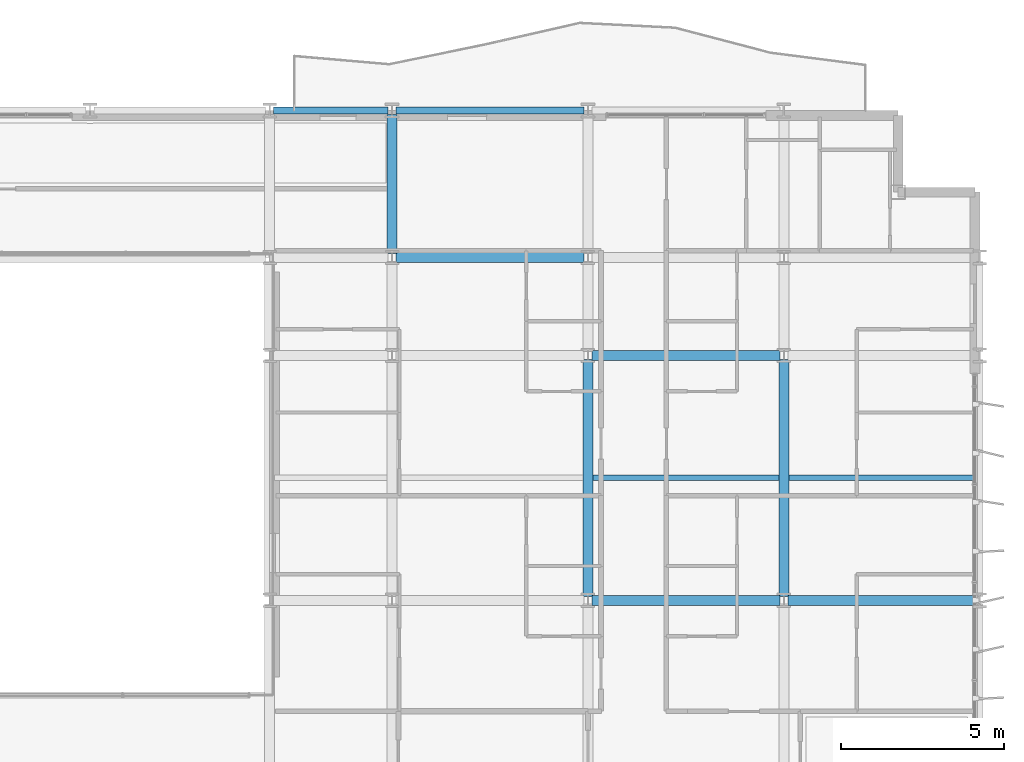
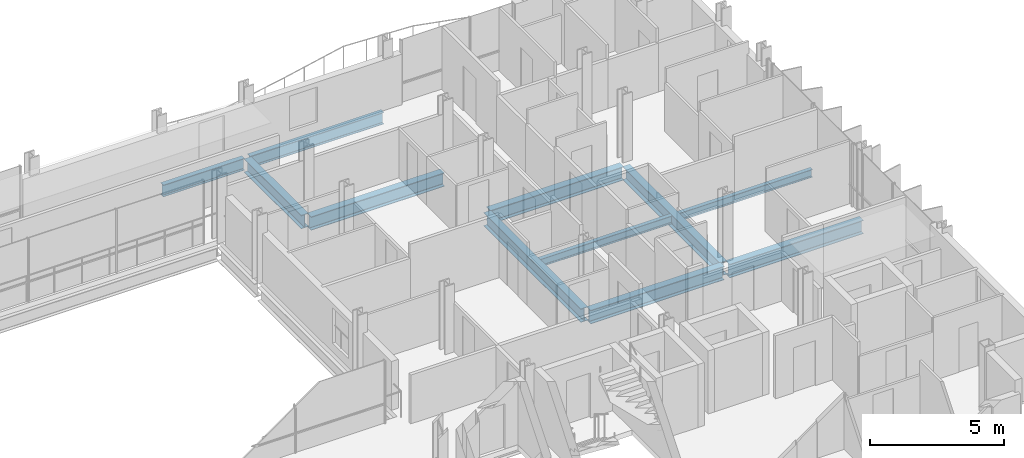
# One storey, part 18 of 39: 11 beams.
"""IFC4 building model written with IfcOpenShell, lengths in metres."""

from ifc_helpers import new_model, si_unit, direction, frame, origin, origin_2d, place, context, subcontext, project, spatial, i_section, extrude, material, material_profile, profile_set, type_object, element, save


model = new_model("IFC4")

# Units and contexts
model_context = context("Model", 3, precision=1e-05, world=origin(), true_north=direction((0.0, 1.0)))
body_context = subcontext(model_context, "Body", "Model", "MODEL_VIEW")
ifc_project = project(units=[si_unit("LENGTHUNIT", "METRE"), si_unit("AREAUNIT", "SQUARE_METRE"), si_unit("VOLUMEUNIT", "CUBIC_METRE"), si_unit("PLANEANGLEUNIT", "RADIAN"), si_unit("MASSUNIT", "GRAM", prefix="KILO")], contexts=[model_context])

# Site, building, storey
site_placement = place(None, origin())
site = spatial("IfcSite", under=ifc_project, at=site_placement, CompositionType="ELEMENT")
building_placement = place(site_placement, origin())
building = spatial("IfcBuilding", under=site, at=building_placement, Name="Brevholm Reach", CompositionType="ELEMENT")
storey_placement = place(building_placement, frame((0.0, 0.0, 83.800048828125)))
storey = spatial("IfcBuildingStorey", under=building, at=storey_placement, Name="L24", CompositionType="ELEMENT", Elevation=83.800048828125)

# Beams
ifc_material_1 = material(Name="Structural Steel S355J2", Category="steel")
ifc_material_profile_1 = material_profile(ifc_material_1, i_section(OverallWidth=0.17138671875, OverallDepth=0.35498046875, WebThickness=0.00732421875, FlangeThickness=0.011474609375, FilletRadius=0.01025390625, at=origin_2d()), Name="UKB 356x171x51")
ifc_profile_set_1 = profile_set([ifc_material_profile_1], Name="Structural Steel S355J2")
beam_type_1 = type_object("IfcBeamType", Name="BM-B356", PredefinedType="BEAM", material=ifc_profile_set_1)
beam_1_placement = place(storey_placement, frame((48.153564453125, 19.75, -0.407470703125), z_axis=(1.0, 0.0, 0.0), x_axis=(0.0, 1.0, 0.0)))
element("IfcBeam", 1, at=beam_1_placement, inside=storey, type_object=beam_type_1, Name="L24 Composite Secondary Floor Beam", PredefinedType="BEAM", context=body_context, shape_type="SweptSolid", body=[
    extrude(i_section(OverallWidth=0.17138671875, OverallDepth=0.35498046875, WebThickness=0.00732421875, FlangeThickness=0.011474609375, FilletRadius=0.01025390625, at=origin_2d()), origin(), (0.0, 0.0, 1.0), 5.69287109375),
])
beam_2_placement = place(storey_placement, frame((54.153564453125, 19.75, -0.407470703125), z_axis=(1.0, 0.0, 0.0), x_axis=(0.0, 1.0, 0.0)))
element("IfcBeam", 2, at=beam_2_placement, inside=storey, type_object=beam_type_1, Name="L24 Composite Secondary Floor Beam", PredefinedType="BEAM", context=body_context, shape_type="SweptSolid", body=[
    extrude(i_section(OverallWidth=0.17138671875, OverallDepth=0.35498046875, WebThickness=0.00732421875, FlangeThickness=0.011474609375, FilletRadius=0.01025390625, at=origin_2d()), origin(), (0.0, 0.0, 1.0), 5.740966796875),
])
ifc_material_2 = material(Name="Structural Steel S355J2", Category="steel")
ifc_material_profile_2 = material_profile(ifc_material_2, i_section(OverallWidth=0.210693359375, OverallDepth=0.53955078125, WebThickness=0.01171875, FlangeThickness=0.018798828125, FilletRadius=0.0126953125, at=origin_2d()), Name="UKB 533x210x109")
ifc_profile_set_2 = profile_set([ifc_material_profile_2], Name="Structural Steel S355J2")
beam_type_2 = type_object("IfcBeamType", Name="BM-SP539", PredefinedType="SPANDREL", material=ifc_profile_set_2)
beam_3_placement = place(storey_placement, frame((38.3701171875, 31.0, -0.499755859375), z_axis=(1.0, 0.0, 0.0), x_axis=(0.0, 1.0, 0.0)))
element("IfcBeam", 3, at=beam_3_placement, inside=storey, type_object=beam_type_2, Name="L24 SP-01B Framing Beam", PredefinedType="SPANDREL", context=body_context, shape_type="SweptSolid", body=[
    extrude(i_section(OverallWidth=0.210693359375, OverallDepth=0.53955078125, WebThickness=0.01171875, FlangeThickness=0.018798828125, FilletRadius=0.0126953125, at=origin_2d()), origin(), (0.0, 0.0, 1.0), 3.509765625),
])
beam_4_placement = place(storey_placement, frame((42.1201171875, 31.0, -0.499755859375), z_axis=(1.0, 0.0, 0.0), x_axis=(0.0, 1.0, 0.0)))
element("IfcBeam", 4, at=beam_4_placement, inside=storey, type_object=beam_type_2, Name="L24 SP-01B Framing Beam", PredefinedType="SPANDREL", context=body_context, shape_type="SweptSolid", body=[
    extrude(i_section(OverallWidth=0.210693359375, OverallDepth=0.53955078125, WebThickness=0.01171875, FlangeThickness=0.018798828125, FilletRadius=0.0126953125, at=origin_2d()), origin(), (0.0, 0.0, 1.0), 5.759765625),
])
ifc_material_3 = material(Name="Structural Steel S355J2", Category="steel")
ifc_material_profile_3 = material_profile(ifc_material_3, i_section(OverallWidth=0.30712890625, OverallDepth=0.6201171875, WebThickness=0.01416015625, FlangeThickness=0.023681640625, FilletRadius=0.0166015625, at=origin_2d()), Name="UKB 610x305x179")
ifc_profile_set_3 = profile_set([ifc_material_profile_3], Name="Structural Steel S355J2")
beam_type_3 = type_object("IfcBeamType", Name="BM-UKB610H", PredefinedType="USERDEFINED", material=ifc_profile_set_3)
for number, where, z_axis, x_axis, name in (
    (5, (48.1201171875, 16.0, -0.5400390625), (1.0, 0.0, 0.0), (0.0, 1.0, 0.0), "L24 G-06 Framing Beam"),
    (6, (54.1201171875, 16.0, -0.5400390625), (1.0, 0.0, 0.0), (0.0, 1.0, 0.0), "L24 G-06 Framing Beam"),
    (7, (48.1201171875, 23.5, -0.5400390625), (1.0, 0.0, 0.0), (0.0, 1.0, 0.0), "L24 G-06 Framing Beam"),
    (8, (42.1201171875, 26.5, -0.5400390625), (1.0, 0.0, 0.0), (0.0, 1.0, 0.0), "L24 G-06 Framing Beam"),
):
    element("IfcBeam", number, at=place(storey_placement, frame(where, z_axis=z_axis, x_axis=x_axis)), inside=storey, type_object=beam_type_3, Name=name, ObjectType="GIRDER", PredefinedType="USERDEFINED", context=body_context, shape_type="SweptSolid", body=[
        extrude(i_section(OverallWidth=0.30712890625, OverallDepth=0.6201171875, WebThickness=0.01416015625, FlangeThickness=0.023681640625, FilletRadius=0.0166015625, at=origin_2d()), origin(), (0.0, 0.0, 1.0), 5.759765625),
    ])
beam_5_placement = place(storey_placement, frame((42.0, 26.6201171875, -0.5400390625), z_axis=(0.0, 1.0, 0.0), x_axis=(-1.0, 0.0, 0.0)))
element("IfcBeam", 9, at=beam_5_placement, inside=storey, type_object=beam_type_3, Name="L24 G-06 Framing Beam", ObjectType="GIRDER", PredefinedType="USERDEFINED", context=body_context, shape_type="SweptSolid", body=[
    extrude(i_section(OverallWidth=0.30712890625, OverallDepth=0.6201171875, WebThickness=0.01416015625, FlangeThickness=0.023681640625, FilletRadius=0.0166015625, at=origin_2d()), origin(), (0.0, 0.0, 1.0), 4.259765625),
])
for number, where, z_axis, x_axis, name in (
    (10, (48.0, 16.1201171875, -0.5400390625), (0.0, 1.0, 0.0), (-1.0, 0.0, 0.0), "L24 G-06 Framing Beam"),
    (11, (54.0, 16.1201171875, -0.5400390625), (0.0, 1.0, 0.0), (-1.0, 0.0, 0.0), "L24 G-06 Framing Beam"),
):
    element("IfcBeam", number, at=place(storey_placement, frame(where, z_axis=z_axis, x_axis=x_axis)), inside=storey, type_object=beam_type_3, Name=name, ObjectType="GIRDER", PredefinedType="USERDEFINED", context=body_context, shape_type="SweptSolid", body=[
        extrude(i_section(OverallWidth=0.30712890625, OverallDepth=0.6201171875, WebThickness=0.01416015625, FlangeThickness=0.023681640625, FilletRadius=0.0166015625, at=origin_2d()), origin(), (0.0, 0.0, 1.0), 7.259765625),
    ])

save(model, "model.ifc")
